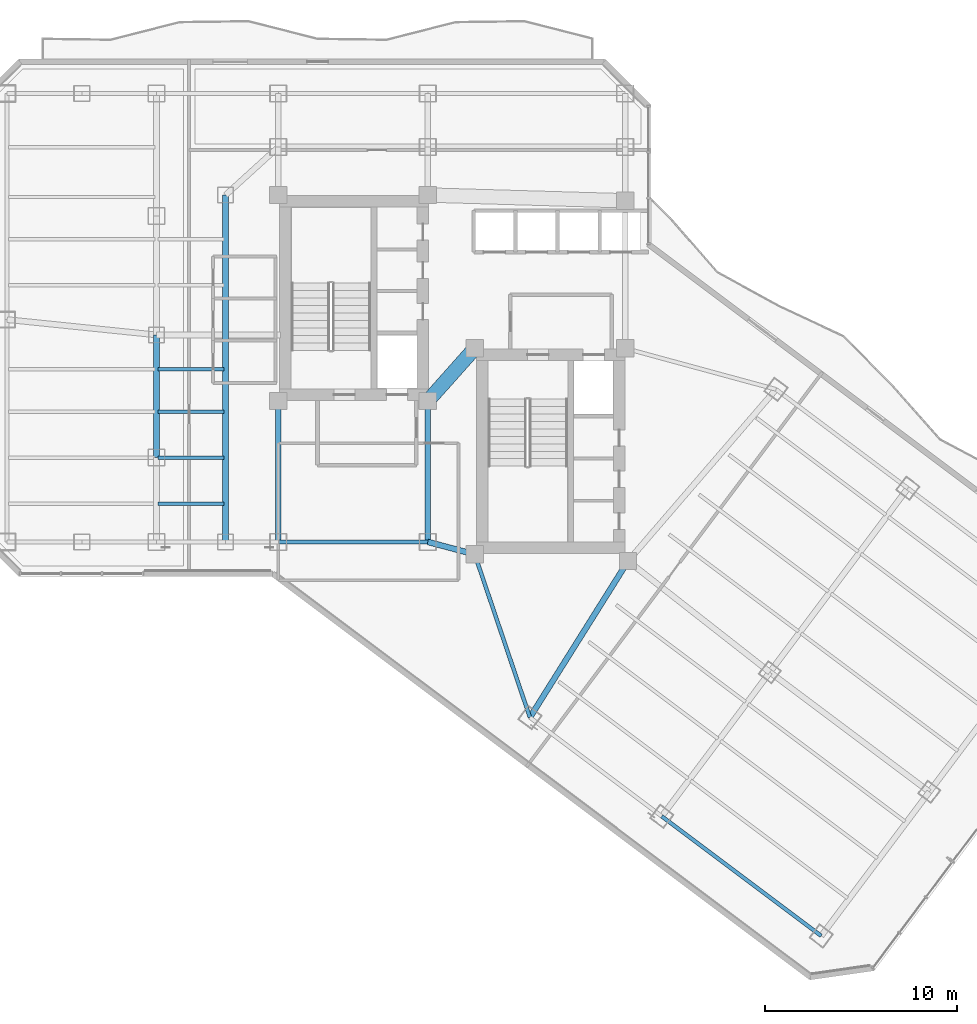
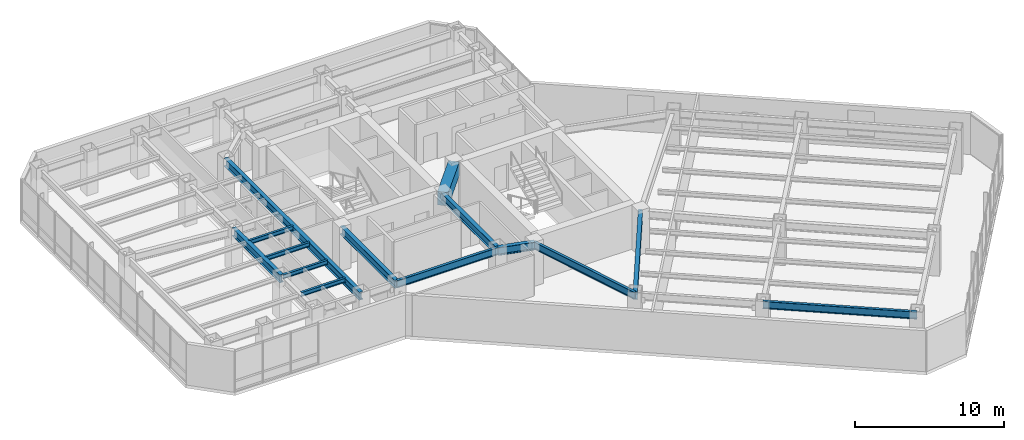
# One storey, part 5 of 29: 14 beams.
"""IFC4 building model written with IfcOpenShell, lengths in metres."""

from ifc_helpers import new_model, si_unit, direction, frame, origin, origin_2d, place, context, subcontext, project, spatial, rectangle, i_section, extrude, material, material_profile, profile_set, type_object, element, save


model = new_model("IFC4")

# Units and contexts
model_context = context("Model", 3, precision=1e-05, world=origin(), true_north=direction((0.0, 1.0)))
body_context = subcontext(model_context, "Body", "Model", "MODEL_VIEW")
ifc_project = project(units=[si_unit("LENGTHUNIT", "METRE"), si_unit("AREAUNIT", "SQUARE_METRE"), si_unit("VOLUMEUNIT", "CUBIC_METRE"), si_unit("PLANEANGLEUNIT", "RADIAN"), si_unit("MASSUNIT", "GRAM", prefix="KILO")], contexts=[model_context])

# Site, building, storey
site_placement = place(None, origin())
site = spatial("IfcSite", under=ifc_project, at=site_placement, CompositionType="ELEMENT")
building_placement = place(site_placement, origin())
building = spatial("IfcBuilding", under=site, at=building_placement, Name="Hatsunagi Terrace Concourse", CompositionType="ELEMENT")
storey_placement = place(building_placement, frame((0.0, 0.0, 104.85009765625)))
storey = spatial("IfcBuildingStorey", under=building, at=storey_placement, Name="L27", CompositionType="ELEMENT", Elevation=104.85009765625)

# Beams
ifc_material_1 = material(Name="Concrete Fc48", Category="concrete")
ifc_material_profile_1 = material_profile(ifc_material_1, rectangle(XDim=0.75, YDim=1.10009765625, at=origin_2d()), Name="RC-750x1100")
ifc_profile_set_1 = profile_set([ifc_material_profile_1], Name="Concrete Fc48")
beam_type_1 = type_object("IfcBeamType", Name="CoreCouplingBeam_RC_750x1100", PredefinedType="BEAM", material=ifc_profile_set_1)
beam_1_placement = place(storey_placement, frame((33.35009765625, 32.550048828125, 2.7998046875), z_axis=(0.665198651008, 0.746666427997, 0.0), x_axis=(-0.746666427997, 0.665198651008, 0.0)))
element("IfcBeam", 1, at=beam_1_placement, inside=storey, type_object=beam_type_1, Name="Beam CB-02 CB-L27-1", PredefinedType="BEAM", context=body_context, shape_type="SweptSolid", body=[
    extrude(rectangle(XDim=0.75, YDim=1.10009765625, at=origin_2d()), origin(), (0.0, 0.0, 1.0), 3.68310546875),
])
ifc_material_2 = material(Name="Steel SN490B", Category="steel")
ifc_material_profile_2 = material_profile(ifc_material_2, i_section(OverallWidth=0.175048828125, OverallDepth=0.35009765625, WebThickness=0.007080078125, FlangeThickness=0.010986328125, FilletRadius=0.012939453125, at=origin_2d()), Name="H-350x175x7x11")
ifc_profile_set_2 = profile_set([ifc_material_profile_2], Name="Steel SN490B")
beam_type_2 = type_object("IfcBeamType", Name="HotelJoist_H_350x175", PredefinedType="JOIST", material=ifc_profile_set_2)
for number, where, z_axis, x_axis, name in (
    (2, (19.284912109375, 27.199951171875, 3.1748046875), (1.0, 0.0, 0.0), (0.0, 1.0, 0.0), "Beam J-02 J-L27-W-19-272"),
    (3, (19.284912109375, 29.60009765625, 3.1748046875), (1.0, 0.0, 0.0), (0.0, 1.0, 0.0), "Beam J-02 J-L27-W-19-296"),
    (4, (19.284912109375, 32.0, 3.1748046875), (1.0, 0.0, 0.0), (0.0, 1.0, 0.0), "Beam J-02 J-L27-W-19-320"),
    (5, (19.284912109375, 34.199951171875, 3.1748046875), (1.0, 0.0, 0.0), (0.0, 1.0, 0.0), "Beam J-02 J-L27-W-19-342"),
):
    element("IfcBeam", number, at=place(storey_placement, frame(where, z_axis=z_axis, x_axis=x_axis)), inside=storey, type_object=beam_type_2, Name=name, PredefinedType="JOIST", context=body_context, shape_type="SweptSolid", body=[
        extrude(i_section(OverallWidth=0.175048828125, OverallDepth=0.35009765625, WebThickness=0.007080078125, FlangeThickness=0.010986328125, FilletRadius=0.012939453125, at=origin_2d()), origin(), (0.0, 0.0, 1.0), 3.43017578125),
    ])
ifc_material_3 = material(Name="Steel SN490B", Category="steel")
ifc_material_profile_3 = material_profile(ifc_material_3, i_section(OverallWidth=0.300048828125, OverallDepth=0.64990234375, WebThickness=0.012939453125, FlangeThickness=0.02197265625, FilletRadius=0.01806640625, at=origin_2d()), Name="H-650x300x13x22")
ifc_profile_set_3 = profile_set([ifc_material_profile_3], Name="Steel SN490B")
beam_type_3 = type_object("IfcBeamType", Name="OfficeLowGirder_H_650x300", PredefinedType="BEAM", material=ifc_profile_set_3)
for number, where, z_axis, x_axis, name in (
    (6, (25.550048828125, 25.199951171875, 3.02490234375), (0.0, 1.0, 0.0), (-1.0, 0.0, 0.0), "Beam G-05 BM-L27-K1CA"),
    (7, (33.35009765625, 25.199951171875, 3.02490234375), (0.0, 1.0, 0.0), (-1.0, 0.0, 0.0), "Beam G-05 BM-L27-K2CA"),
):
    element("IfcBeam", number, at=place(storey_placement, frame(where, z_axis=z_axis, x_axis=x_axis)), inside=storey, type_object=beam_type_3, Name=name, PredefinedType="BEAM", context=body_context, shape_type="SweptSolid", body=[
        extrude(i_section(OverallWidth=0.300048828125, OverallDepth=0.64990234375, WebThickness=0.012939453125, FlangeThickness=0.02197265625, FilletRadius=0.01806640625, at=origin_2d()), origin(), (0.0, 0.0, 1.0), 7.35009765625),
    ])
beam_2_placement = place(storey_placement, frame((33.35009765625, 25.199951171875, 3.02490234375), z_axis=(0.966569840116, -0.256403479262, 0.0), x_axis=(0.256403479262, 0.966569840116, 0.0)))
element("IfcBeam", 8, at=beam_2_placement, inside=storey, type_object=beam_type_3, Name="Beam G-05 BM-L27-K2CB", PredefinedType="BEAM", context=body_context, shape_type="SweptSolid", body=[
    extrude(i_section(OverallWidth=0.300048828125, OverallDepth=0.64990234375, WebThickness=0.012939453125, FlangeThickness=0.02197265625, FilletRadius=0.01806640625, at=origin_2d()), origin(), (0.0, 0.0, 1.0), 2.53466796875),
])
beam_3_placement = place(storey_placement, frame((22.800048828125, 25.199951171875, 3.02490234375), z_axis=(0.0, 1.0, 0.0), x_axis=(-1.0, 0.0, 0.0)))
element("IfcBeam", 9, at=beam_3_placement, inside=storey, type_object=beam_type_3, Name="Beam G-05 BM-L27-CWNS", PredefinedType="BEAM", context=body_context, shape_type="SweptSolid", body=[
    extrude(i_section(OverallWidth=0.300048828125, OverallDepth=0.64990234375, WebThickness=0.012939453125, FlangeThickness=0.02197265625, FilletRadius=0.01806640625, at=origin_2d()), origin(), (0.0, 0.0, 1.0), 18.10009765625),
])
beam_4_placement = place(storey_placement, frame((19.199951171875, 29.60009765625, 3.02490234375), z_axis=(0.0, 1.0, 0.0), x_axis=(-1.0, 0.0, 0.0)))
element("IfcBeam", 10, at=beam_4_placement, inside=storey, type_object=beam_type_3, Name="Beam G-05 BM-L27-NS-19-29", PredefinedType="BEAM", context=body_context, shape_type="SweptSolid", body=[
    extrude(i_section(OverallWidth=0.300048828125, OverallDepth=0.64990234375, WebThickness=0.012939453125, FlangeThickness=0.02197265625, FilletRadius=0.01806640625, at=origin_2d()), origin(), (0.0, 0.0, 1.0), 6.39990234375),
])
beam_5_placement = place(storey_placement, frame((38.679931640625, 16.0400390625, 3.02490234375), z_axis=(0.531503907049, 0.847055840421, 0.0), x_axis=(-0.847055840421, 0.531503907049, 0.0)))
element("IfcBeam", 11, at=beam_5_placement, inside=storey, type_object=beam_type_3, Name="Beam G-05 BM-L27-SET-1A", PredefinedType="BEAM", context=body_context, shape_type="SweptSolid", body=[
    extrude(i_section(OverallWidth=0.300048828125, OverallDepth=0.64990234375, WebThickness=0.012939453125, FlangeThickness=0.02197265625, FilletRadius=0.01806640625, at=origin_2d()), origin(), (0.0, 0.0, 1.0), 9.63330078125),
])
ifc_material_4 = material(Name="Steel SN490B", Category="steel")
ifc_material_profile_4 = material_profile(ifc_material_4, i_section(OverallWidth=0.199951171875, OverallDepth=0.60009765625, WebThickness=0.010986328125, FlangeThickness=0.01708984375, FilletRadius=0.01806640625, at=origin_2d()), Name="H-600x200x11x17")
ifc_profile_set_4 = profile_set([ifc_material_profile_4], Name="Steel SN490B")
beam_type_4 = type_object("IfcBeamType", Name="PerimeterSpandrel_H_600x200", PredefinedType="SPANDREL", material=ifc_profile_set_4)
beam_6_placement = place(storey_placement, frame((25.550048828125, 25.199951171875, 3.0498046875), z_axis=(1.0, 0.0, 0.0), x_axis=(0.0, 1.0, 0.0)))
element("IfcBeam", 12, at=beam_6_placement, inside=storey, type_object=beam_type_4, Name="Beam SP-01 BM-L27-WS-25", PredefinedType="SPANDREL", context=body_context, shape_type="SweptSolid", body=[
    extrude(i_section(OverallWidth=0.199951171875, OverallDepth=0.60009765625, WebThickness=0.010986328125, FlangeThickness=0.01708984375, FilletRadius=0.01806640625, at=origin_2d()), origin(), (0.0, 0.0, 1.0), 7.800048828125),
])
beam_7_placement = place(storey_placement, frame((35.800048828125, 24.550048828125, 3.0498046875), z_axis=(0.320553412271, -0.947230441805, 0.0), x_axis=(0.947230441805, 0.320553412271, 0.0)))
element("IfcBeam", 13, at=beam_7_placement, inside=storey, type_object=beam_type_4, Name="Beam SP-01 BM-L27-SE-SW0", PredefinedType="SPANDREL", context=body_context, shape_type="SweptSolid", body=[
    extrude(i_section(OverallWidth=0.199951171875, OverallDepth=0.60009765625, WebThickness=0.010986328125, FlangeThickness=0.01708984375, FilletRadius=0.01806640625, at=origin_2d()), origin(), (0.0, 0.0, 1.0), 8.984130859375),
])
beam_8_placement = place(storey_placement, frame((45.56005859375, 10.8798828125, 3.0498046875), z_axis=(0.799994365871, -0.600007512099, 0.0), x_axis=(0.600007512099, 0.799994365871, 0.0)))
element("IfcBeam", 14, at=beam_8_placement, inside=storey, type_object=beam_type_4, Name="Beam SP-01 BM-L27-SE-SW3", PredefinedType="SPANDREL", context=body_context, shape_type="SweptSolid", body=[
    extrude(i_section(OverallWidth=0.199951171875, OverallDepth=0.60009765625, WebThickness=0.010986328125, FlangeThickness=0.01708984375, FilletRadius=0.01806640625, at=origin_2d()), origin(), (0.0, 0.0, 1.0), 10.39990234375),
])

save(model, "model.ifc")
